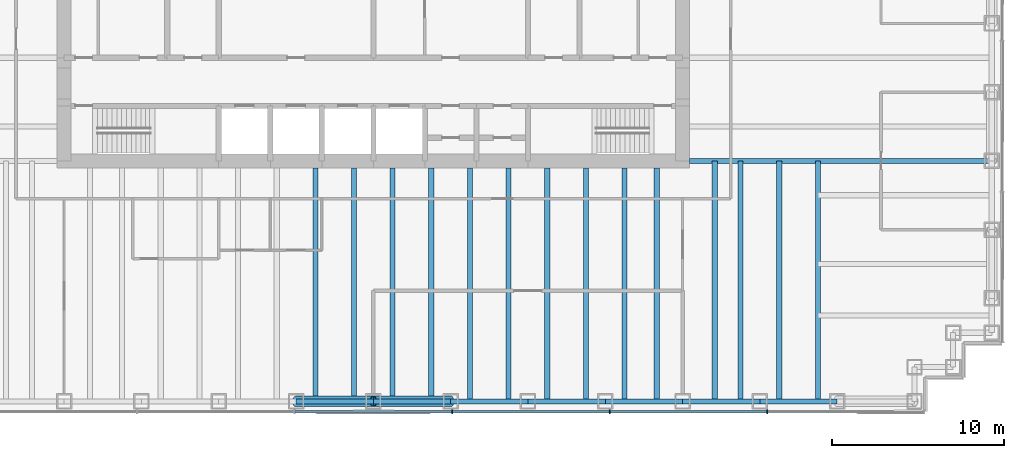
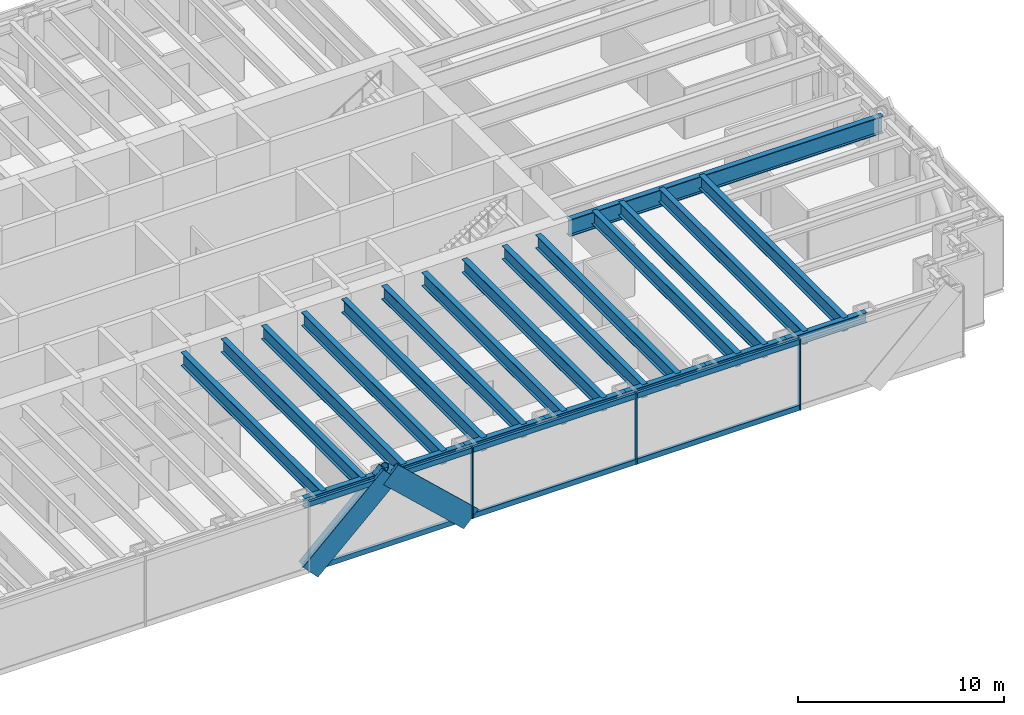
# One storey, part 3 of 14: 22 beams, 13 members, 1 element without a shape of its own.
"""IFC4 building model written with IfcOpenShell, lengths in metres."""

from ifc_helpers import new_model, si_unit, direction, frame, origin, origin_2d, place, context, subcontext, project, spatial, rectangle, hollow_circle, i_section, extrude, material, material_profile, profile_set, type_object, element, aggregate, save


model = new_model("IFC4")

# Units and contexts
model_context = context("Model", 3, precision=1e-05, world=origin(), true_north=direction((0.0, 1.0)))
body_context = subcontext(model_context, "Body", "Model", "MODEL_VIEW")
ifc_project = project(units=[si_unit("LENGTHUNIT", "METRE"), si_unit("AREAUNIT", "SQUARE_METRE"), si_unit("VOLUMEUNIT", "CUBIC_METRE"), si_unit("PLANEANGLEUNIT", "RADIAN"), si_unit("MASSUNIT", "GRAM", prefix="KILO")], contexts=[model_context])

# Site, building, storey
site_placement = place(None, origin())
site = spatial("IfcSite", under=ifc_project, at=site_placement, CompositionType="ELEMENT")
building_placement = place(site_placement, origin())
building = spatial("IfcBuilding", under=site, at=building_placement, Name="Rheinbord Bourse Tower", CompositionType="ELEMENT")
storey_placement = place(building_placement, frame((0.0, 0.0, 240.39990234375)))
storey = spatial("IfcBuildingStorey", under=building, at=storey_placement, Name="L54", CompositionType="ELEMENT", Elevation=240.39990234375)

# Curtain wall, members
ifc_material_1 = material(Name="Dark glass and black aluminium", Category="aluminium")
curtain_wall_type = type_object("IfcCurtainWallType", Name="CW2 DARK GLASS CURTAIN WALL", PredefinedType="USERDEFINED", material=ifc_material_1)
curtain_wall_placement = place(storey_placement, origin())
curtain_wall = element("IfcCurtainWall", 1, at=curtain_wall_placement, inside=storey, type_object=curtain_wall_type, Name="Curtain wall CW2 S L54", ObjectType="UNITISED CURTAIN WALL", PredefinedType="USERDEFINED")
ifc_material_2 = material(Name="Black anodised aluminium", Category="aluminium")
ifc_material_profile_1 = material_profile(ifc_material_2, rectangle(XDim=0.159912109375, YDim=1.2099609375, at=origin_2d()), Name="CW2 DIAGONAL MULLION 1210x160")
ifc_profile_set_1 = profile_set([ifc_material_profile_1], Name="Black anodised aluminium")
member_type_1 = type_object("IfcMemberType", Name="CW2 BLACK DIAGONAL MULLION", PredefinedType="USERDEFINED", material=ifc_profile_set_1)
member_1_placement = place(storey_placement, frame((31.5, 1.39990234375, 0.0), z_axis=(0.731039441158, 0.0, 0.682335207557), x_axis=(0.0, 1.0, 0.0)))
member_1 = element("IfcMember", 2, at=member_1_placement, type_object=member_type_1, Name="CW2 diagonal mullion c", ObjectType="DIAGONAL MULLION", PredefinedType="USERDEFINED", context=body_context, shape_type="SweptSolid", body=[
    extrude(rectangle(XDim=0.159912109375, YDim=1.2099609375, at=origin_2d()), origin(), (0.0, 0.0, 1.0), 6.155517578125),
])
member_2_placement = place(storey_placement, frame((40.5, 1.39990234375, 0.0), z_axis=(-0.731039441158, 0.0, 0.682335207557), x_axis=(0.0, -1.0, 0.0)))
member_2 = element("IfcMember", 3, at=member_2_placement, type_object=member_type_1, Name="CW2 diagonal mullion d", ObjectType="DIAGONAL MULLION", PredefinedType="USERDEFINED", context=body_context, shape_type="SweptSolid", body=[
    extrude(rectangle(XDim=0.159912109375, YDim=1.2099609375, at=origin_2d()), origin(), (0.0, 0.0, 1.0), 6.155517578125),
])
ifc_material_3 = material(Name="Black anodised aluminium", Category="aluminium")
ifc_material_profile_2 = material_profile(ifc_material_3, rectangle(XDim=0.219970703125, YDim=0.070068359375, at=origin_2d()), Name="CW2 MULLION 70x220")
ifc_profile_set_2 = profile_set([ifc_material_profile_2], Name="Black anodised aluminium")
member_type_2 = type_object("IfcMemberType", Name="CW2 BLACK MULLION", PredefinedType="MULLION", material=ifc_profile_set_2)
member_3_placement = place(storey_placement, frame((40.585693359375, 1.39990234375, 0.0), z_axis=(0.0, 0.0, 1.0), x_axis=(0.0, 1.0, 0.0)))
member_3 = element("IfcMember", 4, at=member_3_placement, type_object=member_type_2, Name="CW2 mullion 5", PredefinedType="MULLION", context=body_context, shape_type="SweptSolid", body=[
    extrude(rectangle(XDim=0.219970703125, YDim=0.070068359375, at=origin_2d()), origin(), (0.0, 0.0, 1.0), 4.2001953125),
])
member_4_placement = place(storey_placement, frame((49.757080078125, 1.39990234375, 0.0), z_axis=(0.0, 0.0, 1.0), x_axis=(0.0, 1.0, 0.0)))
member_4 = element("IfcMember", 5, at=member_4_placement, type_object=member_type_2, Name="CW2 mullion 6", PredefinedType="MULLION", context=body_context, shape_type="SweptSolid", body=[
    extrude(rectangle(XDim=0.219970703125, YDim=0.070068359375, at=origin_2d()), origin(), (0.0, 0.0, 1.0), 4.2001953125),
])
member_5_placement = place(storey_placement, frame((58.928466796875, 1.39990234375, 0.0), z_axis=(0.0, 0.0, 1.0), x_axis=(0.0, 1.0, 0.0)))
member_5 = element("IfcMember", 6, at=member_5_placement, type_object=member_type_2, Name="CW2 mullion 7", PredefinedType="MULLION", context=body_context, shape_type="SweptSolid", body=[
    extrude(rectangle(XDim=0.219970703125, YDim=0.070068359375, at=origin_2d()), origin(), (0.0, 0.0, 1.0), 4.2001953125),
])
ifc_material_4 = material(Name="Black anodised aluminium", Category="aluminium")
ifc_material_profile_3 = material_profile(ifc_material_4, rectangle(XDim=0.159912109375, YDim=0.300048828125, at=origin_2d()), Name="CW2 TRANSOM 300x160")
ifc_profile_set_3 = profile_set([ifc_material_profile_3], Name="Black anodised aluminium")
member_type_3 = type_object("IfcMemberType", Name="CW2 BLACK TRANSOM", PredefinedType="USERDEFINED", material=ifc_profile_set_3)
member_6_placement = place(storey_placement, frame((31.44921875, 1.39990234375, 0.150146484375), z_axis=(1.0, 0.0, 0.0), x_axis=(0.0, 1.0, 0.0)))
member_6 = element("IfcMember", 7, at=member_6_placement, type_object=member_type_3, Name="CW2 transom 4.1", ObjectType="TRANSOM", PredefinedType="USERDEFINED", context=body_context, shape_type="SweptSolid", body=[
    extrude(rectangle(XDim=0.159912109375, YDim=0.300048828125, at=origin_2d()), origin(), (0.0, 0.0, 1.0), 9.1015625),
])
member_7_placement = place(storey_placement, frame((31.44921875, 1.39990234375, 4.050048828125), z_axis=(1.0, 0.0, 0.0), x_axis=(0.0, 1.0, 0.0)))
member_7 = element("IfcMember", 8, at=member_7_placement, type_object=member_type_3, Name="CW2 transom 4.2", ObjectType="TRANSOM", PredefinedType="USERDEFINED", context=body_context, shape_type="SweptSolid", body=[
    extrude(rectangle(XDim=0.159912109375, YDim=0.300048828125, at=origin_2d()), origin(), (0.0, 0.0, 1.0), 9.1015625),
])
member_8_placement = place(storey_placement, frame((40.62060546875, 1.39990234375, 0.150146484375), z_axis=(1.0, 0.0, 0.0), x_axis=(0.0, 1.0, 0.0)))
member_8 = element("IfcMember", 9, at=member_8_placement, type_object=member_type_3, Name="CW2 transom 5.1", ObjectType="TRANSOM", PredefinedType="USERDEFINED", context=body_context, shape_type="SweptSolid", body=[
    extrude(rectangle(XDim=0.159912109375, YDim=0.300048828125, at=origin_2d()), origin(), (0.0, 0.0, 1.0), 9.1015625),
])
member_9_placement = place(storey_placement, frame((40.62060546875, 1.39990234375, 4.050048828125), z_axis=(1.0, 0.0, 0.0), x_axis=(0.0, 1.0, 0.0)))
member_9 = element("IfcMember", 10, at=member_9_placement, type_object=member_type_3, Name="CW2 transom 5.2", ObjectType="TRANSOM", PredefinedType="USERDEFINED", context=body_context, shape_type="SweptSolid", body=[
    extrude(rectangle(XDim=0.159912109375, YDim=0.300048828125, at=origin_2d()), origin(), (0.0, 0.0, 1.0), 9.1015625),
])
member_10_placement = place(storey_placement, frame((49.792236328125, 1.39990234375, 0.150146484375), z_axis=(1.0, 0.0, 0.0), x_axis=(0.0, 1.0, 0.0)))
member_10 = element("IfcMember", 11, at=member_10_placement, type_object=member_type_3, Name="CW2 transom 6.1", ObjectType="TRANSOM", PredefinedType="USERDEFINED", context=body_context, shape_type="SweptSolid", body=[
    extrude(rectangle(XDim=0.159912109375, YDim=0.300048828125, at=origin_2d()), origin(), (0.0, 0.0, 1.0), 9.101318359375),
])
member_11_placement = place(storey_placement, frame((49.792236328125, 1.39990234375, 4.050048828125), z_axis=(1.0, 0.0, 0.0), x_axis=(0.0, 1.0, 0.0)))
member_11 = element("IfcMember", 12, at=member_11_placement, type_object=member_type_3, Name="CW2 transom 6.2", ObjectType="TRANSOM", PredefinedType="USERDEFINED", context=body_context, shape_type="SweptSolid", body=[
    extrude(rectangle(XDim=0.159912109375, YDim=0.300048828125, at=origin_2d()), origin(), (0.0, 0.0, 1.0), 9.101318359375),
])
aggregate(curtain_wall, [member_3, member_4, member_5, member_6, member_7, member_8, member_9, member_10, member_11, member_1, member_2])

# Beams
ifc_material_5 = material(Name="Steel S460", Category="steel")
ifc_material_profile_4 = material_profile(ifc_material_5, i_section(OverallWidth=0.300048828125, OverallDepth=0.800048828125, WebThickness=0.017578125, FlangeThickness=0.032958984375, at=origin_2d()), Name="HEB 800")
ifc_profile_set_4 = profile_set([ifc_material_profile_4], Name="Steel S460")
beam_type_1 = type_object("IfcBeamType", Name="FLOOR BEAM HEB 800", PredefinedType="BEAM", material=ifc_profile_set_4)
for number, where, z_axis, x_axis, name in (
    (13, (32.625, 2.0, 3.64013671875), (0.0, 1.0, 0.0), (-1.0, 0.0, 0.0), "Floor beam S-31.5a L55"),
    (14, (34.875, 2.0, 3.64013671875), (0.0, 1.0, 0.0), (-1.0, 0.0, 0.0), "Floor beam S-31.5b L55"),
    (15, (37.125, 2.0, 3.64013671875), (0.0, 1.0, 0.0), (-1.0, 0.0, 0.0), "Floor beam S-36a L55"),
    (16, (39.375, 2.0, 3.64013671875), (0.0, 1.0, 0.0), (-1.0, 0.0, 0.0), "Floor beam S-36b L55"),
    (17, (41.625, 2.0, 3.64013671875), (0.0, 1.0, 0.0), (-1.0, 0.0, 0.0), "Floor beam S-40.5a L55"),
    (18, (43.875, 2.0, 3.64013671875), (0.0, 1.0, 0.0), (-1.0, 0.0, 0.0), "Floor beam S-40.5b L55"),
    (19, (46.125, 2.0, 3.64013671875), (0.0, 1.0, 0.0), (-1.0, 0.0, 0.0), "Floor beam S-45a L55"),
    (20, (48.375, 2.0, 3.64013671875), (0.0, 1.0, 0.0), (-1.0, 0.0, 0.0), "Floor beam S-45b L55"),
    (21, (50.625, 2.0, 3.64013671875), (0.0, 1.0, 0.0), (-1.0, 0.0, 0.0), "Floor beam S-49.5a L55"),
    (22, (52.5, 2.0, 3.64013671875), (0.0, 1.0, 0.0), (-1.0, 0.0, 0.0), "Floor beam S-49.5b L55"),
):
    element("IfcBeam", number, at=place(storey_placement, frame(where, z_axis=z_axis, x_axis=x_axis)), inside=storey, type_object=beam_type_1, Name=name, PredefinedType="BEAM", context=body_context, shape_type="SweptSolid", body=[
        extrude(i_section(OverallWidth=0.300048828125, OverallDepth=0.800048828125, WebThickness=0.017578125, FlangeThickness=0.032958984375, at=origin_2d()), origin(), (0.0, 0.0, 1.0), 13.60009765625),
    ])
for number, where, z_axis, x_axis, name in (
    (23, (55.875, 2.0, 3.64013671875), (0.0, 1.0, 0.0), (-1.0, 0.0, 0.0), "Floor beam S-54a L55"),
    (24, (57.375, 2.0, 3.64013671875), (0.0, 1.0, 0.0), (-1.0, 0.0, 0.0), "Floor beam S-54b L55"),
    (25, (59.625, 2.0, 3.64013671875), (0.0, 1.0, 0.0), (-1.0, 0.0, 0.0), "Floor beam S-58.5a L55"),
    (26, (61.875, 2.0, 3.64013671875), (0.0, 1.0, 0.0), (-1.0, 0.0, 0.0), "Floor beam S-58.5b L55"),
):
    element("IfcBeam", number, at=place(storey_placement, frame(where, z_axis=z_axis, x_axis=x_axis)), inside=storey, type_object=beam_type_1, Name=name, PredefinedType="BEAM", context=body_context, shape_type="SweptSolid", body=[
        extrude(i_section(OverallWidth=0.300048828125, OverallDepth=0.800048828125, WebThickness=0.017578125, FlangeThickness=0.032958984375, at=origin_2d()), origin(), (0.0, 0.0, 1.0), 14.0),
    ])
ifc_material_6 = material(Name="Steel S460", Category="steel")
ifc_material_profile_5 = material_profile(ifc_material_6, i_section(OverallWidth=0.302001953125, OverallDepth=1.008056640625, WebThickness=0.02099609375, FlangeThickness=0.0400390625, at=origin_2d()), Name="HEM 1000")
ifc_profile_set_5 = profile_set([ifc_material_profile_5], Name="Steel S460")
beam_type_2 = type_object("IfcBeamType", Name="GIRDER HEM 1000", PredefinedType="BEAM", material=ifc_profile_set_5)
beam_placement = place(storey_placement, frame((54.39990234375, 16.0, 3.5361328125), z_axis=(1.0, 0.0, 0.0), x_axis=(0.0, 1.0, 0.0)))
element("IfcBeam", 27, at=beam_placement, inside=storey, type_object=beam_type_2, Name="Girder east 16 L55", PredefinedType="BEAM", context=body_context, shape_type="SweptSolid", body=[
    extrude(i_section(OverallWidth=0.302001953125, OverallDepth=1.008056640625, WebThickness=0.02099609375, FlangeThickness=0.0400390625, at=origin_2d()), origin(), (0.0, 0.0, 1.0), 17.60009765625),
])

# Members
ifc_material_7 = material(Name="Steel S460", Category="steel")
ifc_material_profile_6 = material_profile(ifc_material_7, hollow_circle(Radius=0.304931640625, WallThickness=0.0400390625, at=origin_2d()), Name="CHS 610x40")
ifc_profile_set_6 = profile_set([ifc_material_profile_6], Name="Steel S460")
member_type_4 = type_object("IfcMemberType", Name="MEGABRACE CHS 610x40", PredefinedType="BRACE", material=ifc_profile_set_6)
for number, where, z_axis, x_axis, name in (
    (28, (31.5, 2.0, 0.0), (0.731039441158, 0.0, 0.682335207557), (0.0, 1.0, 0.0), "Megabrace S face line c L54"),
    (29, (40.5, 2.0, 0.0), (-0.731039441158, 0.0, 0.682335207557), (0.0, -1.0, 0.0), "Megabrace S face line d L54"),
):
    element("IfcMember", number, at=place(storey_placement, frame(where, z_axis=z_axis, x_axis=x_axis)), inside=storey, type_object=member_type_4, Name=name, PredefinedType="BRACE", context=body_context, shape_type="SweptSolid", body=[
        extrude(hollow_circle(Radius=0.304931640625, WallThickness=0.0400390625, at=origin_2d()), origin(), (0.0, 0.0, 1.0), 6.155517578125),
    ])

# Beams
ifc_material_8 = material(Name="Steel S460", Category="steel")
ifc_material_profile_7 = material_profile(ifc_material_8, i_section(OverallWidth=0.300048828125, OverallDepth=0.60009765625, WebThickness=0.015380859375, FlangeThickness=0.030029296875, at=origin_2d()), Name="HEB 600")
ifc_profile_set_7 = profile_set([ifc_material_profile_7], Name="Steel S460")
beam_type_3 = type_object("IfcBeamType", Name="SPANDREL HEB 600", PredefinedType="SPANDREL", material=ifc_profile_set_7)
for number, where, z_axis, x_axis, name in (
    (30, (31.5, 2.0, 3.739990234375), (1.0, 0.0, 0.0), (0.0, 1.0, 0.0), "Spandrel S-31.5-S-36 under L55"),
    (31, (36.0, 2.0, 3.739990234375), (1.0, 0.0, 0.0), (0.0, 1.0, 0.0), "Spandrel S-36-S-40.5 under L55"),
    (32, (40.5, 2.0, 3.739990234375), (1.0, 0.0, 0.0), (0.0, 1.0, 0.0), "Spandrel S-40.5-S-45 under L55"),
    (33, (45.0, 2.0, 3.739990234375), (1.0, 0.0, 0.0), (0.0, 1.0, 0.0), "Spandrel S-45-S-49.5 under L55"),
    (34, (49.5, 2.0, 3.739990234375), (1.0, 0.0, 0.0), (0.0, 1.0, 0.0), "Spandrel S-49.5-S-54 under L55"),
    (35, (54.0, 2.0, 3.739990234375), (1.0, 0.0, 0.0), (0.0, 1.0, 0.0), "Spandrel S-54-S-58.5 under L55"),
    (36, (58.5, 2.0, 3.739990234375), (1.0, 0.0, 0.0), (0.0, 1.0, 0.0), "Spandrel S-58.5-S-63 under L55"),
):
    element("IfcBeam", number, at=place(storey_placement, frame(where, z_axis=z_axis, x_axis=x_axis)), inside=storey, type_object=beam_type_3, Name=name, PredefinedType="SPANDREL", context=body_context, shape_type="SweptSolid", body=[
        extrude(i_section(OverallWidth=0.300048828125, OverallDepth=0.60009765625, WebThickness=0.015380859375, FlangeThickness=0.030029296875, at=origin_2d()), origin(), (0.0, 0.0, 1.0), 4.5),
    ])

save(model, "model.ifc")
